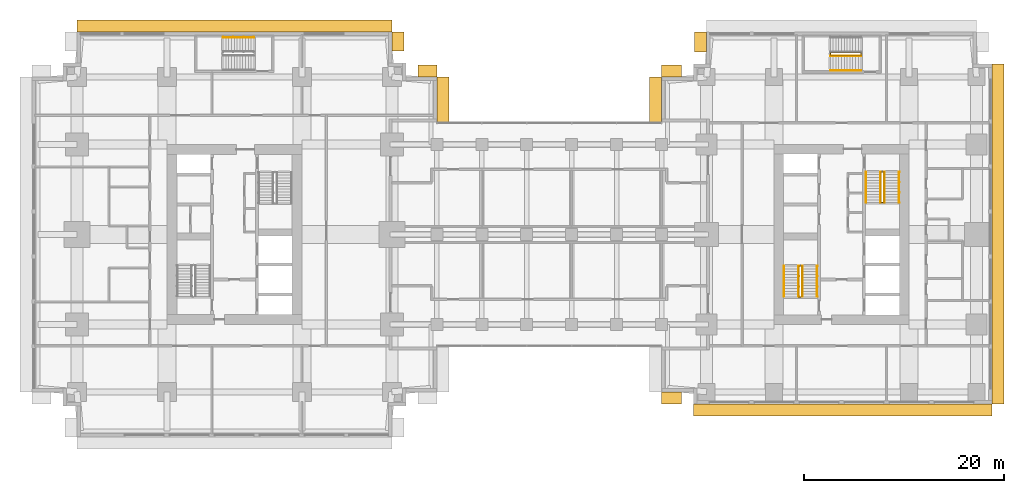
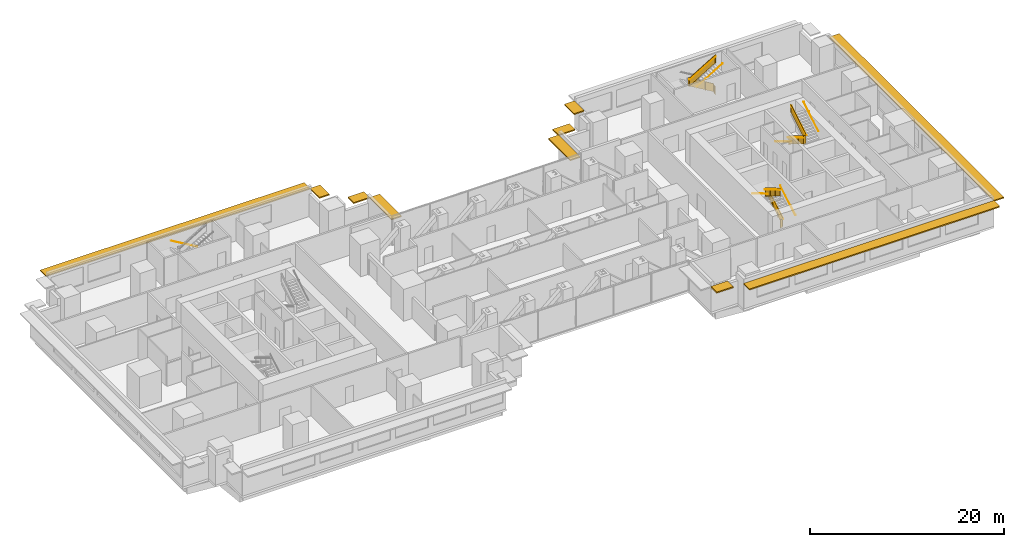
# One storey, part 15 of 16: 14 railings, 10 shading devices.
"""IFC4 building model written with IfcOpenShell, lengths in metres."""

from ifc_helpers import new_model, si_unit, direction, frame, origin, origin_2d, place, context, subcontext, project, spatial, polyline, rectangle, circle, outline, extrude, material, layer, layer_set, type_object, element, save


model = new_model("IFC4")

# Units and contexts
model_context = context("Model", 3, precision=1e-05, world=origin(), true_north=direction((0.0, 1.0)))
body_context = subcontext(model_context, "Body", "Model", "MODEL_VIEW")
ifc_project = project(units=[si_unit("LENGTHUNIT", "METRE"), si_unit("AREAUNIT", "SQUARE_METRE"), si_unit("VOLUMEUNIT", "CUBIC_METRE"), si_unit("PLANEANGLEUNIT", "RADIAN"), si_unit("MASSUNIT", "GRAM", prefix="KILO")], contexts=[model_context])

# Site, building, storey
site_placement = place(None, origin())
site = spatial("IfcSite", under=ifc_project, at=site_placement, CompositionType="ELEMENT")
building_placement = place(site_placement, origin())
building = spatial("IfcBuilding", under=site, at=building_placement, Name="Namib Vertical Campus", CompositionType="ELEMENT")
storey_placement = place(building_placement, frame((0.0, 0.0, 121.0)))
storey = spatial("IfcBuildingStorey", under=building, at=storey_placement, Name="L28", CompositionType="ELEMENT", Elevation=121.0)

# Railings
ifc_material_1 = material(Name="Steel handrail", Category="steel")
railing_type_1 = type_object("IfcRailingType", Name="Handrail 900", PredefinedType="HANDRAIL", material=ifc_material_1)
railing_1_placement = place(storey_placement, frame((78.550048828125, 14.0, 0.166748046875)))
element("IfcRailing", 1, at=railing_1_placement, inside=storey, type_object=railing_type_1, Name="Handrail HR1 B-S1 L28 1", PredefinedType="HANDRAIL", context=body_context, shape_type="SweptSolid", body=[
    extrude(circle(Radius=0.02392578125, at=origin_2d()), frame((0.0, 0.0, 0.8759765625), z_axis=(0.0, 0.859308565015, 0.511457515432), x_axis=(-1.0, 0.0, 0.0)), (0.0, 0.0, 1.0), 3.58447265625),
    extrude(circle(Radius=0.008056640625, at=origin_2d()), frame((0.0, 0.0, 0.8759765625), z_axis=(1.0, 0.0, 0.0), x_axis=(0.0, 0.0, 1.0)), (0.0, 0.0, 1.0), 0.050048828125),
    extrude(circle(Radius=0.008056640625, at=origin_2d()), frame((0.0, 1.026611328125, 1.48681640625), z_axis=(1.0, 0.0, 0.0), x_axis=(0.0, 0.0, 1.0)), (0.0, 0.0, 1.0), 0.050048828125),
    extrude(circle(Radius=0.008056640625, at=origin_2d()), frame((0.0, 2.053466796875, 2.09814453125), z_axis=(1.0, 0.0, 0.0), x_axis=(0.0, 0.0, 1.0)), (0.0, 0.0, 1.0), 0.050048828125),
    extrude(circle(Radius=0.008056640625, at=origin_2d()), frame((0.0, 3.080078125, 2.708984375), z_axis=(1.0, 0.0, 0.0), x_axis=(0.0, 0.0, 1.0)), (0.0, 0.0, 1.0), 0.050048828125),
])
railing_2_placement = place(storey_placement, frame((75.25, 17.080078125, 2.166748046875)))
element("IfcRailing", 2, at=railing_2_placement, inside=storey, type_object=railing_type_1, Name="Handrail HR1 B-S1 L28 2", PredefinedType="HANDRAIL", context=body_context, shape_type="SweptSolid", body=[
    extrude(circle(Radius=0.02392578125, at=origin_2d()), frame((0.0, 0.0, 0.8759765625), z_axis=(0.0, -0.859308565015, 0.511457515432), x_axis=(1.0, 0.0, 0.0)), (0.0, 0.0, 1.0), 3.58447265625),
    extrude(circle(Radius=0.008056640625, at=origin_2d()), frame((0.0, 0.0, 0.8759765625), z_axis=(-1.0, 0.0, 0.0), x_axis=(0.0, 0.0, 1.0)), (0.0, 0.0, 1.0), 0.050048828125),
    extrude(circle(Radius=0.008056640625, at=origin_2d()), frame((0.0, -1.026611328125, 1.48681640625), z_axis=(-1.0, 0.0, 0.0), x_axis=(0.0, 0.0, 1.0)), (0.0, 0.0, 1.0), 0.050048828125),
    extrude(circle(Radius=0.008056640625, at=origin_2d()), frame((0.0, -2.053466796875, 2.09814453125), z_axis=(-1.0, 0.0, 0.0), x_axis=(0.0, 0.0, 1.0)), (0.0, 0.0, 1.0), 0.050048828125),
    extrude(circle(Radius=0.008056640625, at=origin_2d()), frame((0.0, -3.080078125, 2.708984375), z_axis=(-1.0, 0.0, 0.0), x_axis=(0.0, 0.0, 1.0)), (0.0, 0.0, 1.0), 0.050048828125),
])
railing_3_placement = place(storey_placement, frame((77.10009765625, 14.0, 0.166748046875)))
element("IfcRailing", 3, at=railing_3_placement, inside=storey, type_object=railing_type_1, Name="Handrail HR1 B-S1 L28 1 at the well", PredefinedType="HANDRAIL", context=body_context, shape_type="SweptSolid", body=[
    extrude(circle(Radius=0.02392578125, at=origin_2d()), frame((0.0, 0.0, 0.8759765625), z_axis=(0.0, 0.859308565015, 0.511457515432), x_axis=(-1.0, 0.0, 0.0)), (0.0, 0.0, 1.0), 3.58447265625),
    extrude(circle(Radius=0.008056640625, at=origin_2d()), frame((0.0, 0.0, 0.8759765625), z_axis=(-1.0, 0.0, 0.0), x_axis=(0.0, 0.0, 1.0)), (0.0, 0.0, 1.0), 0.0400390625),
    extrude(circle(Radius=0.008056640625, at=origin_2d()), frame((0.0, 1.026611328125, 1.48681640625), z_axis=(-1.0, 0.0, 0.0), x_axis=(0.0, 0.0, 1.0)), (0.0, 0.0, 1.0), 0.0400390625),
    extrude(circle(Radius=0.008056640625, at=origin_2d()), frame((0.0, 2.053466796875, 2.09814453125), z_axis=(-1.0, 0.0, 0.0), x_axis=(0.0, 0.0, 1.0)), (0.0, 0.0, 1.0), 0.0400390625),
    extrude(circle(Radius=0.008056640625, at=origin_2d()), frame((0.0, 3.080078125, 2.708984375), z_axis=(-1.0, 0.0, 0.0), x_axis=(0.0, 0.0, 1.0)), (0.0, 0.0, 1.0), 0.0400390625),
])
railing_4_placement = place(storey_placement, frame((76.699951171875, 17.080078125, 2.166748046875)))
element("IfcRailing", 4, at=railing_4_placement, inside=storey, type_object=railing_type_1, Name="Handrail HR1 B-S1 L28 2 at the well", PredefinedType="HANDRAIL", context=body_context, shape_type="SweptSolid", body=[
    extrude(circle(Radius=0.02392578125, at=origin_2d()), frame((0.0, 0.0, 0.8759765625), z_axis=(0.0, -0.859308565015, 0.511457515432), x_axis=(1.0, 0.0, 0.0)), (0.0, 0.0, 1.0), 3.58447265625),
    extrude(circle(Radius=0.008056640625, at=origin_2d()), frame((0.0, 0.0, 0.8759765625), z_axis=(1.0, 0.0, 0.0), x_axis=(0.0, 0.0, 1.0)), (0.0, 0.0, 1.0), 0.0400390625),
    extrude(circle(Radius=0.008056640625, at=origin_2d()), frame((0.0, -1.026611328125, 1.48681640625), z_axis=(1.0, 0.0, 0.0), x_axis=(0.0, 0.0, 1.0)), (0.0, 0.0, 1.0), 0.0400390625),
    extrude(circle(Radius=0.008056640625, at=origin_2d()), frame((0.0, -2.053466796875, 2.09814453125), z_axis=(1.0, 0.0, 0.0), x_axis=(0.0, 0.0, 1.0)), (0.0, 0.0, 1.0), 0.0400390625),
    extrude(circle(Radius=0.008056640625, at=origin_2d()), frame((0.0, -3.080078125, 2.708984375), z_axis=(1.0, 0.0, 0.0), x_axis=(0.0, 0.0, 1.0)), (0.0, 0.0, 1.0), 0.0400390625),
])
railing_5_placement = place(storey_placement, frame((83.449951171875, 26.5, 0.166748046875)))
element("IfcRailing", 5, at=railing_5_placement, inside=storey, type_object=railing_type_1, Name="Handrail HR1 B-S2 L28 1", PredefinedType="HANDRAIL", context=body_context, shape_type="SweptSolid", body=[
    extrude(circle(Radius=0.02392578125, at=origin_2d()), frame((0.0, 0.0, 0.8759765625), z_axis=(0.0, -0.859308565015, 0.511457515432), x_axis=(1.0, 0.0, 0.0)), (0.0, 0.0, 1.0), 3.58447265625),
    extrude(circle(Radius=0.008056640625, at=origin_2d()), frame((0.0, 0.0, 0.8759765625), z_axis=(-1.0, 0.0, 0.0), x_axis=(0.0, 0.0, 1.0)), (0.0, 0.0, 1.0), 0.050048828125),
    extrude(circle(Radius=0.008056640625, at=origin_2d()), frame((0.0, -1.026611328125, 1.48681640625), z_axis=(-1.0, 0.0, 0.0), x_axis=(0.0, 0.0, 1.0)), (0.0, 0.0, 1.0), 0.050048828125),
    extrude(circle(Radius=0.008056640625, at=origin_2d()), frame((0.0, -2.053466796875, 2.09814453125), z_axis=(-1.0, 0.0, 0.0), x_axis=(0.0, 0.0, 1.0)), (0.0, 0.0, 1.0), 0.050048828125),
    extrude(circle(Radius=0.008056640625, at=origin_2d()), frame((0.0, -3.080078125, 2.708984375), z_axis=(-1.0, 0.0, 0.0), x_axis=(0.0, 0.0, 1.0)), (0.0, 0.0, 1.0), 0.050048828125),
])
railing_6_placement = place(storey_placement, frame((86.75, 23.419921875, 2.166748046875)))
element("IfcRailing", 6, at=railing_6_placement, inside=storey, type_object=railing_type_1, Name="Handrail HR1 B-S2 L28 2", PredefinedType="HANDRAIL", context=body_context, shape_type="SweptSolid", body=[
    extrude(circle(Radius=0.02392578125, at=origin_2d()), frame((0.0, 0.0, 0.8759765625), z_axis=(0.0, 0.859308565015, 0.511457515432), x_axis=(-1.0, 0.0, 0.0)), (0.0, 0.0, 1.0), 3.58447265625),
    extrude(circle(Radius=0.008056640625, at=origin_2d()), frame((0.0, 0.0, 0.8759765625), z_axis=(1.0, 0.0, 0.0), x_axis=(0.0, 0.0, 1.0)), (0.0, 0.0, 1.0), 0.050048828125),
    extrude(circle(Radius=0.008056640625, at=origin_2d()), frame((0.0, 1.026611328125, 1.48681640625), z_axis=(1.0, 0.0, 0.0), x_axis=(0.0, 0.0, 1.0)), (0.0, 0.0, 1.0), 0.050048828125),
    extrude(circle(Radius=0.008056640625, at=origin_2d()), frame((0.0, 2.053466796875, 2.09814453125), z_axis=(1.0, 0.0, 0.0), x_axis=(0.0, 0.0, 1.0)), (0.0, 0.0, 1.0), 0.050048828125),
    extrude(circle(Radius=0.008056640625, at=origin_2d()), frame((0.0, 3.080078125, 2.708984375), z_axis=(1.0, 0.0, 0.0), x_axis=(0.0, 0.0, 1.0)), (0.0, 0.0, 1.0), 0.050048828125),
])
railing_7_placement = place(storey_placement, frame((84.89990234375, 26.5, 0.166748046875)))
element("IfcRailing", 7, at=railing_7_placement, inside=storey, type_object=railing_type_1, Name="Handrail HR1 B-S2 L28 1 at the well", PredefinedType="HANDRAIL", context=body_context, shape_type="SweptSolid", body=[
    extrude(circle(Radius=0.02392578125, at=origin_2d()), frame((0.0, 0.0, 0.8759765625), z_axis=(0.0, -0.859308565015, 0.511457515432), x_axis=(1.0, 0.0, 0.0)), (0.0, 0.0, 1.0), 3.58447265625),
    extrude(circle(Radius=0.008056640625, at=origin_2d()), frame((0.0, 0.0, 0.8759765625), z_axis=(1.0, 0.0, 0.0), x_axis=(0.0, 0.0, 1.0)), (0.0, 0.0, 1.0), 0.0400390625),
    extrude(circle(Radius=0.008056640625, at=origin_2d()), frame((0.0, -1.026611328125, 1.48681640625), z_axis=(1.0, 0.0, 0.0), x_axis=(0.0, 0.0, 1.0)), (0.0, 0.0, 1.0), 0.0400390625),
    extrude(circle(Radius=0.008056640625, at=origin_2d()), frame((0.0, -2.053466796875, 2.09814453125), z_axis=(1.0, 0.0, 0.0), x_axis=(0.0, 0.0, 1.0)), (0.0, 0.0, 1.0), 0.0400390625),
    extrude(circle(Radius=0.008056640625, at=origin_2d()), frame((0.0, -3.080078125, 2.708984375), z_axis=(1.0, 0.0, 0.0), x_axis=(0.0, 0.0, 1.0)), (0.0, 0.0, 1.0), 0.0400390625),
])
railing_8_placement = place(storey_placement, frame((85.300048828125, 23.419921875, 2.166748046875)))
element("IfcRailing", 8, at=railing_8_placement, inside=storey, type_object=railing_type_1, Name="Handrail HR1 B-S2 L28 2 at the well", PredefinedType="HANDRAIL", context=body_context, shape_type="SweptSolid", body=[
    extrude(circle(Radius=0.02392578125, at=origin_2d()), frame((0.0, 0.0, 0.8759765625), z_axis=(0.0, 0.859308565015, 0.511457515432), x_axis=(-1.0, 0.0, 0.0)), (0.0, 0.0, 1.0), 3.58447265625),
    extrude(circle(Radius=0.008056640625, at=origin_2d()), frame((0.0, 0.0, 0.8759765625), z_axis=(-1.0, 0.0, 0.0), x_axis=(0.0, 0.0, 1.0)), (0.0, 0.0, 1.0), 0.0400390625),
    extrude(circle(Radius=0.008056640625, at=origin_2d()), frame((0.0, 1.026611328125, 1.48681640625), z_axis=(-1.0, 0.0, 0.0), x_axis=(0.0, 0.0, 1.0)), (0.0, 0.0, 1.0), 0.0400390625),
    extrude(circle(Radius=0.008056640625, at=origin_2d()), frame((0.0, 2.053466796875, 2.09814453125), z_axis=(-1.0, 0.0, 0.0), x_axis=(0.0, 0.0, 1.0)), (0.0, 0.0, 1.0), 0.0400390625),
    extrude(circle(Radius=0.008056640625, at=origin_2d()), frame((0.0, 3.080078125, 2.708984375), z_axis=(-1.0, 0.0, 0.0), x_axis=(0.0, 0.0, 1.0)), (0.0, 0.0, 1.0), 0.0400390625),
])
railing_9_placement = place(storey_placement, frame((22.199951171875, 39.949951171875, 0.166748046875)))
element("IfcRailing", 9, at=railing_9_placement, inside=storey, type_object=railing_type_1, Name="Handrail HR1 A-S3 L28 1", PredefinedType="HANDRAIL", context=body_context, shape_type="SweptSolid", body=[
    extrude(circle(Radius=0.02392578125, at=origin_2d()), frame((0.0, 0.0, 0.8759765625), z_axis=(-0.859290745958, 0.0, 0.51148745235), x_axis=(0.0, -1.0, 0.0)), (0.0, 0.0, 1.0), 3.584228515625),
    extrude(circle(Radius=0.008056640625, at=origin_2d()), frame((0.0, 0.0, 0.8759765625), z_axis=(0.0, 1.0, 0.0), x_axis=(0.0, 0.0, 1.0)), (0.0, 0.0, 1.0), 0.050048828125),
    extrude(circle(Radius=0.008056640625, at=origin_2d()), frame((-1.026611328125, 0.0, 1.48681640625), z_axis=(0.0, 1.0, 0.0), x_axis=(0.0, 0.0, 1.0)), (0.0, 0.0, 1.0), 0.050048828125),
    extrude(circle(Radius=0.008056640625, at=origin_2d()), frame((-2.05322265625, 0.0, 2.09814453125), z_axis=(0.0, 1.0, 0.0), x_axis=(0.0, 0.0, 1.0)), (0.0, 0.0, 1.0), 0.050048828125),
    extrude(circle(Radius=0.008056640625, at=origin_2d()), frame((-3.079833984375, 0.0, 2.708984375), z_axis=(0.0, 1.0, 0.0), x_axis=(0.0, 0.0, 1.0)), (0.0, 0.0, 1.0), 0.050048828125),
])
railing_10_placement = place(storey_placement, frame((79.8701171875, 36.64990234375, 2.166748046875)))
element("IfcRailing", 10, at=railing_10_placement, inside=storey, type_object=railing_type_1, Name="Handrail HR1 B-S3 L28 2", PredefinedType="HANDRAIL", context=body_context, shape_type="SweptSolid", body=[
    extrude(circle(Radius=0.02392578125, at=origin_2d()), frame((0.0, 0.0, 0.8759765625), z_axis=(0.859290745958, 0.0, 0.51148745235), x_axis=(0.0, 1.0, 0.0)), (0.0, 0.0, 1.0), 3.584228515625),
    extrude(circle(Radius=0.008056640625, at=origin_2d()), frame((0.0, 0.0, 0.8759765625), z_axis=(0.0, -1.0, 0.0), x_axis=(0.0, 0.0, 1.0)), (0.0, 0.0, 1.0), 0.050048828125),
    extrude(circle(Radius=0.008056640625, at=origin_2d()), frame((1.026611328125, 0.0, 1.48681640625), z_axis=(0.0, -1.0, 0.0), x_axis=(0.0, 0.0, 1.0)), (0.0, 0.0, 1.0), 0.050048828125),
    extrude(circle(Radius=0.008056640625, at=origin_2d()), frame((2.05322265625, 0.0, 2.09814453125), z_axis=(0.0, -1.0, 0.0), x_axis=(0.0, 0.0, 1.0)), (0.0, 0.0, 1.0), 0.050048828125),
    extrude(circle(Radius=0.008056640625, at=origin_2d()), frame((3.079833984375, 0.0, 2.708984375), z_axis=(0.0, -1.0, 0.0), x_axis=(0.0, 0.0, 1.0)), (0.0, 0.0, 1.0), 0.050048828125),
])
railing_11_placement = place(storey_placement, frame((79.8701171875, 38.10009765625, 2.166748046875)))
element("IfcRailing", 11, at=railing_11_placement, inside=storey, type_object=railing_type_1, Name="Handrail HR1 B-S3 L28 2 at the well", PredefinedType="HANDRAIL", context=body_context, shape_type="SweptSolid", body=[
    extrude(circle(Radius=0.02392578125, at=origin_2d()), frame((0.0, 0.0, 0.8759765625), z_axis=(0.859290745958, 0.0, 0.51148745235), x_axis=(0.0, 1.0, 0.0)), (0.0, 0.0, 1.0), 3.584228515625),
    extrude(circle(Radius=0.008056640625, at=origin_2d()), frame((0.0, 0.0, 0.8759765625), z_axis=(0.0, 1.0, 0.0), x_axis=(0.0, 0.0, 1.0)), (0.0, 0.0, 1.0), 0.0400390625),
    extrude(circle(Radius=0.008056640625, at=origin_2d()), frame((1.026611328125, 0.0, 1.48681640625), z_axis=(0.0, 1.0, 0.0), x_axis=(0.0, 0.0, 1.0)), (0.0, 0.0, 1.0), 0.0400390625),
    extrude(circle(Radius=0.008056640625, at=origin_2d()), frame((2.05322265625, 0.0, 2.09814453125), z_axis=(0.0, 1.0, 0.0), x_axis=(0.0, 0.0, 1.0)), (0.0, 0.0, 1.0), 0.0400390625),
    extrude(circle(Radius=0.008056640625, at=origin_2d()), frame((3.079833984375, 0.0, 2.708984375), z_axis=(0.0, 1.0, 0.0), x_axis=(0.0, 0.0, 1.0)), (0.0, 0.0, 1.0), 0.0400390625),
])
ifc_material_2 = material(Name="Steel balustrade", Category="steel")
railing_type_2 = type_object("IfcRailingType", Name="Stair guard 1100", PredefinedType="GUARDRAIL", material=ifc_material_2)
railing_12_placement = place(storey_placement, frame((76.75, 14.0, 0.0)))
element("IfcRailing", 12, at=railing_12_placement, inside=storey, type_object=railing_type_2, Name="Stair guard GR1 B-S1 L28", PredefinedType="GUARDRAIL", context=body_context, shape_type="SweptSolid", body=[
    extrude(circle(Radius=0.02392578125, at=origin_2d()), frame((0.0, 0.0, 1.076171875), z_axis=(1.0, 0.0, 0.0), x_axis=(0.0, 1.0, 0.0)), (0.0, 0.0, 1.0), 0.300048828125),
    extrude(outline(polyline([(0.02099609375, 0.050048828125), (0.279052734375, 0.050048828125), (0.279052734375, 1.052001953125), (0.02099609375, 1.052001953125), (0.02099609375, 0.050048828125)])), frame((0.0, 0.010009765625, 0.0), z_axis=(0.0, -1.0, 0.0), x_axis=(1.0, 0.0, 0.0)), (0.0, 0.0, 1.0), 0.02001953125),
    extrude(circle(Radius=0.02392578125, at=origin_2d()), frame((0.300048828125, 0.0, 1.076171875), z_axis=(0.0, 0.0, 1.0), x_axis=(1.0, 0.0, 0.0)), (0.0, 0.0, 1.0), 0.166748046875),
    extrude(circle(Radius=0.02392578125, at=origin_2d()), frame((0.300048828125, 0.0, 1.24267578125), z_axis=(0.0, 0.859308565015, 0.511457515432), x_axis=(-1.0, 0.0, 0.0)), (0.0, 0.0, 1.0), 3.58447265625),
    extrude(outline(polyline([(0.02099609375, 0.0625), (3.05908203125, 1.870849609375), (3.05908203125, 2.872802734375), (0.02099609375, 1.064453125), (0.02099609375, 0.0625)])), frame((0.2900390625, 0.0, 0.166748046875), z_axis=(1.0, 0.0, 0.0), x_axis=(0.0, 1.0, 0.0)), (0.0, 0.0, 1.0), 0.02001953125),
    extrude(circle(Radius=0.02392578125, at=origin_2d()), frame((0.300048828125, 3.080078125, 3.076171875), z_axis=(-1.0, 0.0, 0.0), x_axis=(0.0, -1.0, 0.0)), (0.0, 0.0, 1.0), 0.300048828125),
    extrude(outline(polyline([(0.02099609375, 0.050048828125), (0.279052734375, 0.050048828125), (0.279052734375, 1.052001953125), (0.02099609375, 1.052001953125), (0.02099609375, 0.050048828125)])), frame((0.300048828125, 3.070068359375, 2.0), z_axis=(0.0, 1.0, 0.0), x_axis=(-1.0, 0.0, 0.0)), (0.0, 0.0, 1.0), 0.02001953125),
    extrude(circle(Radius=0.02392578125, at=origin_2d()), frame((0.0, 3.080078125, 3.076171875), z_axis=(0.0, 0.0, 1.0), x_axis=(1.0, 0.0, 0.0)), (0.0, 0.0, 1.0), 0.166748046875),
    extrude(circle(Radius=0.02392578125, at=origin_2d()), frame((0.0, 3.080078125, 3.24267578125), z_axis=(0.0, -0.859308565015, 0.511457515432), x_axis=(1.0, 0.0, 0.0)), (0.0, 0.0, 1.0), 3.58447265625),
    extrude(outline(polyline([(0.02099609375, 0.0625), (3.05908203125, 1.870849609375), (3.05908203125, 2.872802734375), (0.02099609375, 1.064453125), (0.02099609375, 0.0625)])), frame((0.010009765625, 3.080078125, 2.166748046875), z_axis=(-1.0, 0.0, 0.0), x_axis=(0.0, -1.0, 0.0)), (0.0, 0.0, 1.0), 0.02001953125),
    extrude(circle(Radius=0.02392578125, at=origin_2d()), frame((0.0, 0.0, 5.076171875), z_axis=(0.0, -1.0, 0.0), x_axis=(1.0, 0.0, 0.0)), (0.0, 0.0, 1.0), 0.050048828125),
    extrude(outline(polyline([(0.02099609375, 0.050048828125), (0.029052734375, 0.050048828125), (0.029052734375, 1.052001953125), (0.02099609375, 1.052001953125), (0.02099609375, 0.050048828125)])), frame((0.010009765625, 0.0, 4.0), z_axis=(-1.0, 0.0, 0.0), x_axis=(0.0, -1.0, 0.0)), (0.0, 0.0, 1.0), 0.02001953125),
    extrude(circle(Radius=0.02099609375, at=origin_2d()), origin(), (0.0, 0.0, 1.0), 1.052001953125),
    extrude(circle(Radius=0.02099609375, at=origin_2d()), frame((0.300048828125, 0.0, 0.166748046875)), (0.0, 0.0, 1.0), 1.052001953125),
    extrude(circle(Radius=0.02099609375, at=origin_2d()), frame((0.300048828125, 1.026611328125, 0.666748046875)), (0.0, 0.0, 1.0), 1.1630859375),
    extrude(circle(Radius=0.02099609375, at=origin_2d()), frame((0.300048828125, 2.053466796875, 1.33349609375)), (0.0, 0.0, 1.0), 1.107421875),
    extrude(circle(Radius=0.02099609375, at=origin_2d()), frame((0.300048828125, 3.080078125, 2.0)), (0.0, 0.0, 1.0), 1.052001953125),
    extrude(circle(Radius=0.02099609375, at=origin_2d()), frame((0.0, 3.080078125, 2.166748046875)), (0.0, 0.0, 1.0), 1.052001953125),
    extrude(circle(Radius=0.02099609375, at=origin_2d()), frame((0.0, 2.053466796875, 2.666748046875)), (0.0, 0.0, 1.0), 1.1630859375),
    extrude(circle(Radius=0.02099609375, at=origin_2d()), frame((0.0, 1.026611328125, 3.33349609375)), (0.0, 0.0, 1.0), 1.107421875),
    extrude(circle(Radius=0.02099609375, at=origin_2d()), frame((0.0, 0.0, 4.0)), (0.0, 0.0, 1.0), 1.052001953125),
    extrude(circle(Radius=0.02099609375, at=origin_2d()), frame((0.0, -0.050048828125, 4.0)), (0.0, 0.0, 1.0), 1.052001953125),
])
railing_13_placement = place(storey_placement, frame((85.25, 26.5, 0.0)))
element("IfcRailing", 13, at=railing_13_placement, inside=storey, type_object=railing_type_2, Name="Stair guard GR1 B-S2 L28", PredefinedType="GUARDRAIL", context=body_context, shape_type="SweptSolid", body=[
    extrude(circle(Radius=0.02392578125, at=origin_2d()), frame((0.0, 0.0, 1.076171875), z_axis=(-1.0, 0.0, 0.0), x_axis=(0.0, -1.0, 0.0)), (0.0, 0.0, 1.0), 0.300048828125),
    extrude(outline(polyline([(0.02099609375, 0.050048828125), (0.279052734375, 0.050048828125), (0.279052734375, 1.052001953125), (0.02099609375, 1.052001953125), (0.02099609375, 0.050048828125)])), frame((0.0, -0.010009765625, 0.0), z_axis=(0.0, 1.0, 0.0), x_axis=(-1.0, 0.0, 0.0)), (0.0, 0.0, 1.0), 0.02001953125),
    extrude(circle(Radius=0.02392578125, at=origin_2d()), frame((-0.300048828125, 0.0, 1.076171875), z_axis=(0.0, 0.0, 1.0), x_axis=(1.0, 0.0, 0.0)), (0.0, 0.0, 1.0), 0.166748046875),
    extrude(circle(Radius=0.02392578125, at=origin_2d()), frame((-0.300048828125, 0.0, 1.24267578125), z_axis=(0.0, -0.859308565015, 0.511457515432), x_axis=(1.0, 0.0, 0.0)), (0.0, 0.0, 1.0), 3.58447265625),
    extrude(outline(polyline([(0.02099609375, 0.0625), (3.05908203125, 1.870849609375), (3.05908203125, 2.872802734375), (0.02099609375, 1.064453125), (0.02099609375, 0.0625)])), frame((-0.2900390625, 0.0, 0.166748046875), z_axis=(-1.0, 0.0, 0.0), x_axis=(0.0, -1.0, 0.0)), (0.0, 0.0, 1.0), 0.02001953125),
    extrude(circle(Radius=0.02392578125, at=origin_2d()), frame((-0.300048828125, -3.080078125, 3.076171875), z_axis=(1.0, 0.0, 0.0), x_axis=(0.0, 1.0, 0.0)), (0.0, 0.0, 1.0), 0.300048828125),
    extrude(outline(polyline([(0.02099609375, 0.050048828125), (0.279052734375, 0.050048828125), (0.279052734375, 1.052001953125), (0.02099609375, 1.052001953125), (0.02099609375, 0.050048828125)])), frame((-0.300048828125, -3.070068359375, 2.0), z_axis=(0.0, -1.0, 0.0), x_axis=(1.0, 0.0, 0.0)), (0.0, 0.0, 1.0), 0.02001953125),
    extrude(circle(Radius=0.02392578125, at=origin_2d()), frame((0.0, -3.080078125, 3.076171875), z_axis=(0.0, 0.0, 1.0), x_axis=(1.0, 0.0, 0.0)), (0.0, 0.0, 1.0), 0.166748046875),
    extrude(circle(Radius=0.02392578125, at=origin_2d()), frame((0.0, -3.080078125, 3.24267578125), z_axis=(0.0, 0.859308565015, 0.511457515432), x_axis=(-1.0, 0.0, 0.0)), (0.0, 0.0, 1.0), 3.58447265625),
    extrude(outline(polyline([(0.02099609375, 0.0625), (3.05908203125, 1.870849609375), (3.05908203125, 2.872802734375), (0.02099609375, 1.064453125), (0.02099609375, 0.0625)])), frame((-0.010009765625, -3.080078125, 2.166748046875), z_axis=(1.0, 0.0, 0.0), x_axis=(0.0, 1.0, 0.0)), (0.0, 0.0, 1.0), 0.02001953125),
    extrude(circle(Radius=0.02392578125, at=origin_2d()), frame((0.0, 0.0, 5.076171875), z_axis=(0.0, 1.0, 0.0), x_axis=(-1.0, 0.0, 0.0)), (0.0, 0.0, 1.0), 0.050048828125),
    extrude(outline(polyline([(0.02099609375, 0.050048828125), (0.029052734375, 0.050048828125), (0.029052734375, 1.052001953125), (0.02099609375, 1.052001953125), (0.02099609375, 0.050048828125)])), frame((-0.010009765625, 0.0, 4.0), z_axis=(1.0, 0.0, 0.0), x_axis=(0.0, 1.0, 0.0)), (0.0, 0.0, 1.0), 0.02001953125),
    extrude(circle(Radius=0.02099609375, at=origin_2d()), origin(), (0.0, 0.0, 1.0), 1.052001953125),
    extrude(circle(Radius=0.02099609375, at=origin_2d()), frame((-0.300048828125, 0.0, 0.166748046875)), (0.0, 0.0, 1.0), 1.052001953125),
    extrude(circle(Radius=0.02099609375, at=origin_2d()), frame((-0.300048828125, -1.026611328125, 0.666748046875)), (0.0, 0.0, 1.0), 1.1630859375),
    extrude(circle(Radius=0.02099609375, at=origin_2d()), frame((-0.300048828125, -2.053466796875, 1.33349609375)), (0.0, 0.0, 1.0), 1.107421875),
    extrude(circle(Radius=0.02099609375, at=origin_2d()), frame((-0.300048828125, -3.080078125, 2.0)), (0.0, 0.0, 1.0), 1.052001953125),
    extrude(circle(Radius=0.02099609375, at=origin_2d()), frame((0.0, -3.080078125, 2.166748046875)), (0.0, 0.0, 1.0), 1.052001953125),
    extrude(circle(Radius=0.02099609375, at=origin_2d()), frame((0.0, -2.053466796875, 2.666748046875)), (0.0, 0.0, 1.0), 1.1630859375),
    extrude(circle(Radius=0.02099609375, at=origin_2d()), frame((0.0, -1.026611328125, 3.33349609375)), (0.0, 0.0, 1.0), 1.107421875),
    extrude(circle(Radius=0.02099609375, at=origin_2d()), frame((0.0, 0.0, 4.0)), (0.0, 0.0, 1.0), 1.052001953125),
    extrude(circle(Radius=0.02099609375, at=origin_2d()), frame((0.0, 0.050048828125, 4.0)), (0.0, 0.0, 1.0), 1.052001953125),
])
railing_14_placement = place(storey_placement, frame((82.949951171875, 38.14990234375, 0.0)))
element("IfcRailing", 14, at=railing_14_placement, inside=storey, type_object=railing_type_2, Name="Stair guard GR1 B-S3 L28", PredefinedType="GUARDRAIL", context=body_context, shape_type="SweptSolid", body=[
    extrude(circle(Radius=0.02392578125, at=origin_2d()), frame((0.0, 0.0, 1.076171875), z_axis=(0.0, 1.0, 0.0), x_axis=(-1.0, 0.0, 0.0)), (0.0, 0.0, 1.0), 0.300048828125),
    extrude(outline(polyline([(0.02099609375, 0.050048828125), (0.279052734375, 0.050048828125), (0.279052734375, 1.052001953125), (0.02099609375, 1.052001953125), (0.02099609375, 0.050048828125)])), frame((-0.010009765625, 0.0, 0.0), z_axis=(1.0, 0.0, 0.0), x_axis=(0.0, 1.0, 0.0)), (0.0, 0.0, 1.0), 0.02001953125),
    extrude(circle(Radius=0.02392578125, at=origin_2d()), frame((0.0, 0.300048828125, 1.076171875), z_axis=(0.0, 0.0, 1.0), x_axis=(1.0, 0.0, 0.0)), (0.0, 0.0, 1.0), 0.166748046875),
    extrude(circle(Radius=0.02392578125, at=origin_2d()), frame((0.0, 0.300048828125, 1.24267578125), z_axis=(-0.859290745958, 0.0, 0.51148745235), x_axis=(0.0, -1.0, 0.0)), (0.0, 0.0, 1.0), 3.584228515625),
    extrude(outline(polyline([(0.02099609375, 0.0625), (3.058837890625, 1.870849609375), (3.058837890625, 2.872802734375), (0.02099609375, 1.064453125), (0.02099609375, 0.0625)])), frame((0.0, 0.2900390625, 0.166748046875), z_axis=(0.0, 1.0, 0.0), x_axis=(-1.0, 0.0, 0.0)), (0.0, 0.0, 1.0), 0.02001953125),
    extrude(circle(Radius=0.02392578125, at=origin_2d()), frame((-3.079833984375, 0.300048828125, 3.076171875), z_axis=(0.0, -1.0, 0.0), x_axis=(1.0, 0.0, 0.0)), (0.0, 0.0, 1.0), 0.300048828125),
    extrude(outline(polyline([(0.02099609375, 0.050048828125), (0.279052734375, 0.050048828125), (0.279052734375, 1.052001953125), (0.02099609375, 1.052001953125), (0.02099609375, 0.050048828125)])), frame((-3.06982421875, 0.300048828125, 2.0), z_axis=(-1.0, 0.0, 0.0), x_axis=(0.0, -1.0, 0.0)), (0.0, 0.0, 1.0), 0.02001953125),
    extrude(circle(Radius=0.02392578125, at=origin_2d()), frame((-3.079833984375, 0.0, 3.076171875), z_axis=(0.0, 0.0, 1.0), x_axis=(1.0, 0.0, 0.0)), (0.0, 0.0, 1.0), 0.166748046875),
    extrude(circle(Radius=0.02392578125, at=origin_2d()), frame((-3.079833984375, 0.0, 3.24267578125), z_axis=(0.859290745958, 0.0, 0.51148745235), x_axis=(0.0, 1.0, 0.0)), (0.0, 0.0, 1.0), 3.584228515625),
    extrude(outline(polyline([(0.02099609375, 0.0625), (3.058837890625, 1.870849609375), (3.058837890625, 2.872802734375), (0.02099609375, 1.064453125), (0.02099609375, 0.0625)])), frame((-3.079833984375, 0.010009765625, 2.166748046875), z_axis=(0.0, -1.0, 0.0), x_axis=(1.0, 0.0, 0.0)), (0.0, 0.0, 1.0), 0.02001953125),
    extrude(circle(Radius=0.02392578125, at=origin_2d()), frame((0.0, 0.0, 5.076171875), z_axis=(1.0, 0.0, 0.0), x_axis=(0.0, 1.0, 0.0)), (0.0, 0.0, 1.0), 0.050048828125),
    extrude(outline(polyline([(0.02099609375, 0.050048828125), (0.029052734375, 0.050048828125), (0.029052734375, 1.052001953125), (0.02099609375, 1.052001953125), (0.02099609375, 0.050048828125)])), frame((0.0, 0.010009765625, 4.0), z_axis=(0.0, -1.0, 0.0), x_axis=(1.0, 0.0, 0.0)), (0.0, 0.0, 1.0), 0.02001953125),
    extrude(circle(Radius=0.02099609375, at=origin_2d()), origin(), (0.0, 0.0, 1.0), 1.052001953125),
    extrude(circle(Radius=0.02099609375, at=origin_2d()), frame((0.0, 0.300048828125, 0.166748046875)), (0.0, 0.0, 1.0), 1.052001953125),
    extrude(circle(Radius=0.02099609375, at=origin_2d()), frame((-1.026611328125, 0.300048828125, 0.666748046875)), (0.0, 0.0, 1.0), 1.1630859375),
    extrude(circle(Radius=0.02099609375, at=origin_2d()), frame((-2.05322265625, 0.300048828125, 1.33349609375)), (0.0, 0.0, 1.0), 1.107421875),
    extrude(circle(Radius=0.02099609375, at=origin_2d()), frame((-3.079833984375, 0.300048828125, 2.0)), (0.0, 0.0, 1.0), 1.052001953125),
    extrude(circle(Radius=0.02099609375, at=origin_2d()), frame((-3.079833984375, 0.0, 2.166748046875)), (0.0, 0.0, 1.0), 1.052001953125),
    extrude(circle(Radius=0.02099609375, at=origin_2d()), frame((-2.05322265625, 0.0, 2.666748046875)), (0.0, 0.0, 1.0), 1.1630859375),
    extrude(circle(Radius=0.02099609375, at=origin_2d()), frame((-1.026611328125, 0.0, 3.33349609375)), (0.0, 0.0, 1.0), 1.107421875),
    extrude(circle(Radius=0.02099609375, at=origin_2d()), frame((0.0, 0.0, 4.0)), (0.0, 0.0, 1.0), 1.052001953125),
    extrude(circle(Radius=0.02099609375, at=origin_2d()), frame((0.050048828125, 0.0, 4.0)), (0.0, 0.0, 1.0), 1.052001953125),
])

# Shading devices
ifc_material_3 = material(Name="Concrete C40/50 precast", Category="concrete")
ifc_layer = layer(ifc_material_3, 0.14990234375)
ifc_layer_set = layer_set([ifc_layer], Name="Concrete C40/50 precast")
shading_device_type = type_object("IfcShadingDeviceType", Name="Sunshade hood 1200", PredefinedType="SHUTTER", material=ifc_layer_set)
shading_device_1_placement = place(storey_placement, frame((41.10009765625, 33.75, 3.10009765625), z_axis=(0.0, 0.0, 1.0), x_axis=(0.0, 1.0, 0.0)))
element("IfcShadingDevice", 15, at=shading_device_1_placement, inside=storey, type_object=shading_device_type, Name="Sunshade SH2 L28 11", PredefinedType="SHUTTER", context=body_context, shape_type="SweptSolid", body=[
    extrude(rectangle(XDim=4.5, YDim=1.199951171875, at=origin_2d()), origin(), (0.0, 0.0, 1.0), 0.14990234375),
])
for number, where, z_axis, x_axis, name in (
    (16, (39.550048828125, 36.60009765625, 3.10009765625), (0.0, 0.0, 1.0), (-1.0, 0.0, 0.0), "Sunshade SH2 L28 12"),
    (17, (36.60009765625, 39.550048828125, 3.10009765625), (0.0, 0.0, 1.0), (0.0, 1.0, 0.0), "Sunshade SH2 L28 15"),
):
    element("IfcShadingDevice", number, at=place(storey_placement, frame(where, z_axis=z_axis, x_axis=x_axis)), inside=storey, type_object=shading_device_type, Name=name, PredefinedType="SHUTTER", context=body_context, shape_type="SweptSolid", body=[
        extrude(rectangle(XDim=1.89990234375, YDim=1.199951171875, at=origin_2d()), origin(), (0.0, 0.0, 1.0), 0.14990234375),
    ])
shading_device_2_placement = place(storey_placement, frame((20.25, 41.10009765625, 3.10009765625), z_axis=(0.0, 0.0, 1.0), x_axis=(-1.0, 0.0, 0.0)))
element("IfcShadingDevice", 18, at=shading_device_2_placement, inside=storey, type_object=shading_device_type, Name="Sunshade SH2 L28 16", PredefinedType="SHUTTER", context=body_context, shape_type="SweptSolid", body=[
    extrude(rectangle(XDim=31.5, YDim=1.199951171875, at=origin_2d()), origin(), (0.0, 0.0, 1.0), 0.14990234375),
])
shading_device_3_placement = place(storey_placement, frame((64.0, 3.89990234375, 3.10009765625), z_axis=(0.0, 0.0, 1.0), x_axis=(1.0, 0.0, 0.0)))
element("IfcShadingDevice", 19, at=shading_device_3_placement, inside=storey, type_object=shading_device_type, Name="Sunshade SH2 L28 2", PredefinedType="SHUTTER", context=body_context, shape_type="SweptSolid", body=[
    extrude(rectangle(XDim=2.0, YDim=1.199951171875, at=origin_2d()), origin(), (0.0, 0.0, 1.0), 0.14990234375),
])
shading_device_4_placement = place(storey_placement, frame((81.125, 2.699951171875, 3.10009765625), z_axis=(0.0, 0.0, 1.0), x_axis=(1.0, 0.0, 0.0)))
element("IfcShadingDevice", 20, at=shading_device_4_placement, inside=storey, type_object=shading_device_type, Name="Sunshade SH2 L28 4", PredefinedType="SHUTTER", context=body_context, shape_type="SweptSolid", body=[
    extrude(rectangle(XDim=29.85009765625, YDim=1.199951171875, at=origin_2d()), origin(), (0.0, 0.0, 1.0), 0.14990234375),
])
shading_device_5_placement = place(storey_placement, frame((96.64990234375, 20.300048828125, 3.10009765625), z_axis=(0.0, 0.0, 1.0), x_axis=(0.0, 1.0, 0.0)))
element("IfcShadingDevice", 21, at=shading_device_5_placement, inside=storey, type_object=shading_device_type, Name="Sunshade SH2 L28 5", PredefinedType="SHUTTER", context=body_context, shape_type="SweptSolid", body=[
    extrude(rectangle(XDim=34.0, YDim=1.199951171875, at=origin_2d()), origin(), (0.0, 0.0, 1.0), 0.14990234375),
])
for number, where, z_axis, x_axis, name in (
    (22, (66.89990234375, 39.5, 3.10009765625), (0.0, 0.0, 1.0), (0.0, -1.0, 0.0), "Sunshade SH2 L28 9"),
    (23, (64.0, 36.60009765625, 3.10009765625), (0.0, 0.0, 1.0), (-1.0, 0.0, 0.0), "Sunshade SH2 L28 12"),
):
    element("IfcShadingDevice", number, at=place(storey_placement, frame(where, z_axis=z_axis, x_axis=x_axis)), inside=storey, type_object=shading_device_type, Name=name, PredefinedType="SHUTTER", context=body_context, shape_type="SweptSolid", body=[
        extrude(rectangle(XDim=2.0, YDim=1.199951171875, at=origin_2d()), origin(), (0.0, 0.0, 1.0), 0.14990234375),
    ])
shading_device_6_placement = place(storey_placement, frame((62.39990234375, 33.75, 3.10009765625), z_axis=(0.0, 0.0, 1.0), x_axis=(0.0, -1.0, 0.0)))
element("IfcShadingDevice", 24, at=shading_device_6_placement, inside=storey, type_object=shading_device_type, Name="Sunshade SH2 L28 13", PredefinedType="SHUTTER", context=body_context, shape_type="SweptSolid", body=[
    extrude(rectangle(XDim=4.5, YDim=1.199951171875, at=origin_2d()), origin(), (0.0, 0.0, 1.0), 0.14990234375),
])

save(model, "model.ifc")
